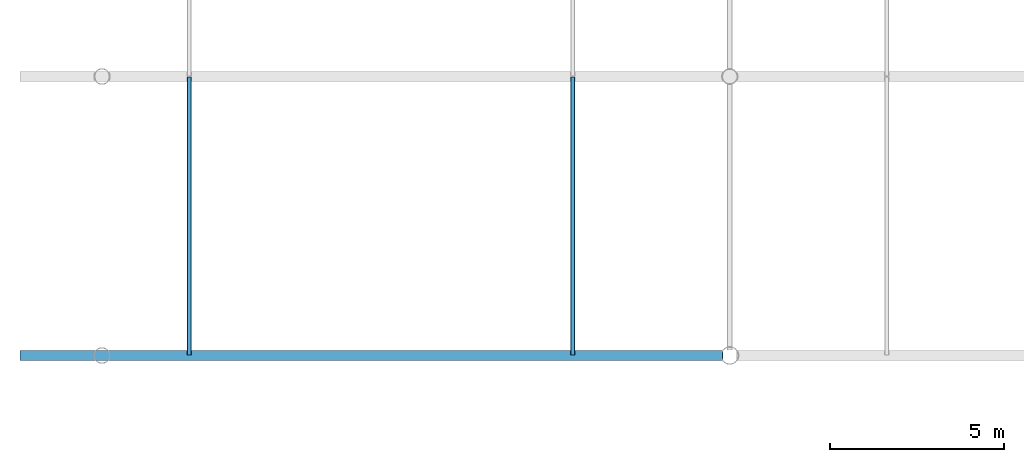
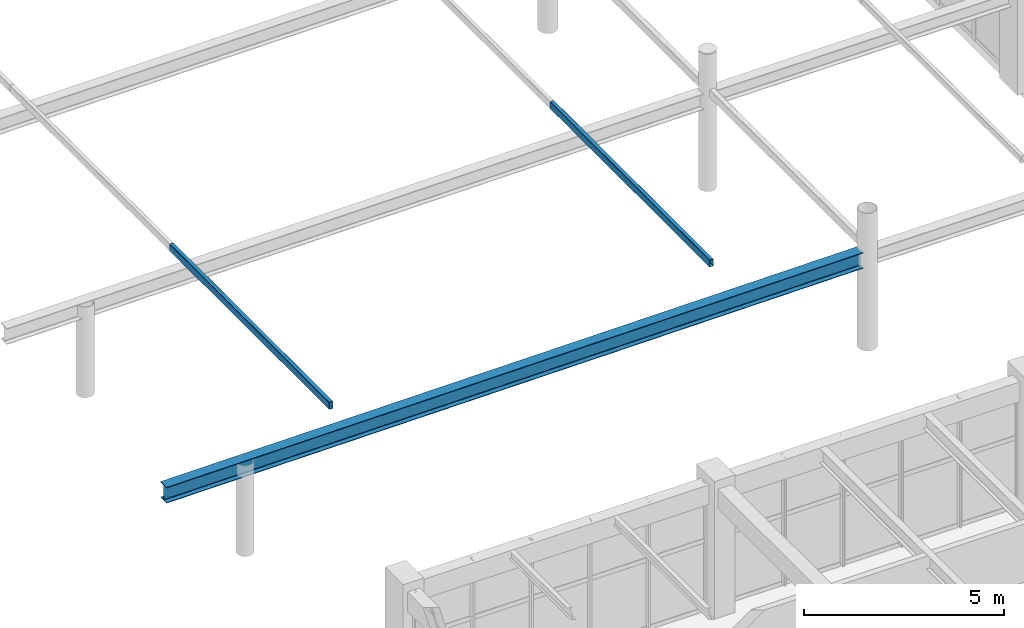
# One storey, part 18 of 148: 3 members.
"""IFC4 building model written with IfcOpenShell, lengths in metres."""

import ifcopenshell
import ifcopenshell.guid

model = None  # the IFC model being written
_history = None  # IfcOwnerHistory: only IFC2X3 demands one
_inside = {}  # id of a spatial element -> (the spatial element, [elements in it])
_under = {}  # id of a project, library or spatial element -> (it, [spatial elements below it])
_declared = {}  # id of a project -> (the project, [libraries it declares])
_typed = {}  # id of a type object -> (the type object, [elements of that type])
_made_of = {}  # id of a material, layer set ... -> (it, [elements and type objects made of it])


def new_model(schema):
    """Start an empty IFC model of exactly this schema.

    Asked for "IFC4X3", IfcOpenShell would pick the latest addendum, in which some entities
    have other attributes; the version numbers below select the first issue.
    IFC2X3 requires an IfcOwnerHistory on every rooted entity: one is made here for all.
    """
    global model, _history
    if schema == "IFC4X3":
        model = ifcopenshell.file(schema_version=(4, 3, 0, 0))
    else:
        model = ifcopenshell.file(schema=schema)
    _inside.clear()
    _under.clear()
    _declared.clear()
    _typed.clear()
    _made_of.clear()
    _history = None
    if model.schema == "IFC2X3":
        org = make("IfcOrganization", Name="unknown")
        user = make(
            "IfcPersonAndOrganization",
            ThePerson=make("IfcPerson", FamilyName="unknown"),
            TheOrganization=org,
        )
        app = make(
            "IfcApplication",
            ApplicationDeveloper=org,
            Version="unknown",
            ApplicationFullName="unknown",
            ApplicationIdentifier="unknown",
        )
        _history = make(
            "IfcOwnerHistory",
            OwningUser=user,
            OwningApplication=app,
            ChangeAction="ADDED",
            CreationDate=0,
        )
    return model


def make(cls, **values):
    """One entity of the class cls with the attributes given. An attribute that is None is left unset."""
    return model.create_entity(
        cls, **{name: value for name, value in values.items() if value is not None}
    )


def rooted(cls, **values):
    """An entity with a GlobalId (a new one), such as an element, a storey or a relation."""
    return make(cls, GlobalId=ifcopenshell.guid.new(), OwnerHistory=_history, **values)


def si_unit(unit_type, name, prefix=None):
    """IfcSIUnit, for example si_unit("LENGTHUNIT", "METRE", prefix="MILLI")."""
    return make("IfcSIUnit", UnitType=unit_type, Prefix=prefix, Name=name)


def derived_unit(unit_type, elements):
    """IfcDerivedUnit: a product of units, each with its exponent."""
    return make(
        "IfcDerivedUnit",
        Elements=[
            make("IfcDerivedUnitElement", Unit=unit, Exponent=power)
            for unit, power in elements
        ],
        UnitType=unit_type,
    )


def assignment(units):
    """IfcUnitAssignment: the units of a project."""
    return None if units is None else make("IfcUnitAssignment", Units=units)


def point(xyz):
    """IfcCartesianPoint."""
    return None if xyz is None else make("IfcCartesianPoint", Coordinates=xyz)


def direction(xyz):
    """IfcDirection."""
    return None if xyz is None else make("IfcDirection", DirectionRatios=xyz)


def frame(location, z_axis=None, x_axis=None):
    """IfcAxis2Placement3D, a coordinate frame: its origin and axes. An axis left out is left unset."""
    return make(
        "IfcAxis2Placement3D",
        Location=point(location),
        Axis=direction(z_axis),
        RefDirection=direction(x_axis),
    )


def frame_2d(location, x_axis=None):
    """IfcAxis2Placement2D, a coordinate frame in the plane: its origin and x axis."""
    return make(
        "IfcAxis2Placement2D", Location=point(location), RefDirection=direction(x_axis)
    )


def origin():
    """The frame at (0, 0, 0) with its axes left unset."""
    return frame((0.0, 0.0, 0.0))


def origin_2d():
    """The frame at (0, 0) in the plane with its x axis left unset."""
    return frame_2d((0.0, 0.0))


def place(relative_to, where):
    """IfcLocalPlacement: puts the frame where relative to a parent placement (None: the world)."""
    return make(
        "IfcLocalPlacement", PlacementRelTo=relative_to, RelativePlacement=where
    )


def context(
    kind, dimensions, precision=None, world=None, true_north=None, identifier=None
):
    """IfcGeometricRepresentationContext, for example the 3D "Model" context."""
    return make(
        "IfcGeometricRepresentationContext",
        ContextIdentifier=identifier,
        ContextType=kind,
        CoordinateSpaceDimension=dimensions,
        Precision=precision,
        WorldCoordinateSystem=world,
        TrueNorth=true_north,
    )


def subcontext(parent, identifier, kind, view, scale=None):
    """IfcGeometricRepresentationSubContext, for example "Body" below "Model"."""
    return make(
        "IfcGeometricRepresentationSubContext",
        ContextIdentifier=identifier,
        ContextType=kind,
        ParentContext=parent,
        TargetScale=scale,
        TargetView=view,
    )


def project(units=None, contexts=None):
    """IfcProject with its units and contexts."""
    return rooted(
        "IfcProject",
        Name="project",
        RepresentationContexts=contexts,
        UnitsInContext=assignment(units),
    )


def spatial(cls, under=None, at=None, **own):
    """A site, building, storey or space (cls), placed at a placement, below another one or the project."""
    s = rooted(cls, ObjectPlacement=at, **own)
    if under is not None:
        _under.setdefault(under.id(), (under, []))[1].append(s)
    return s


def profile(cls, at=None, kind="AREA", **sizes):
    """A parametric profile (cls). Its sizes go by their IFC names, for example OverallWidth=200.0."""
    return make(cls, ProfileType=kind, Position=at, **sizes)


def hollow_rectangle(**sizes):
    """IfcRectangleHollowProfileDef."""
    return profile("IfcRectangleHollowProfileDef", **sizes)


def i_section(**sizes):
    """IfcIShapeProfileDef."""
    return profile("IfcIShapeProfileDef", **sizes)


def extrude(swept, where, along, depth):
    """IfcExtrudedAreaSolid: the profile swept, set in the frame where, extruded along a direction by depth."""
    return make(
        "IfcExtrudedAreaSolid",
        SweptArea=swept,
        Position=where,
        ExtrudedDirection=direction(along),
        Depth=depth,
    )


def shape(context_of_items, identifier, shape_type, items):
    """IfcShapeRepresentation: the items that make up one representation, for example the "Body"."""
    return make(
        "IfcShapeRepresentation",
        ContextOfItems=context_of_items,
        RepresentationIdentifier=identifier,
        RepresentationType=shape_type,
        Items=items,
    )


def material(Name=None, Category=None):
    """IfcMaterial."""
    return make("IfcMaterial", Name=Name, Category=Category)


def material_profile(
    of_material, cross_section, Name=None, Category=None, Priority=None
):
    """IfcMaterialProfile: a cross section and its material."""
    return make(
        "IfcMaterialProfile",
        Name=Name,
        Material=of_material,
        Profile=cross_section,
        Priority=Priority,
        Category=Category,
    )


def profile_set(profiles, Name=None, composite=None):
    """IfcMaterialProfileSet."""
    return make(
        "IfcMaterialProfileSet",
        Name=Name,
        MaterialProfiles=profiles,
        CompositeProfile=composite,
    )


def made_of(thing, what):
    """Note that an element or type object is made of a material, layer set ...; save() writes the relation."""
    if what is not None:
        _made_of.setdefault(what.id(), (what, []))[1].append(thing)
    return thing


def type_object(cls, material=None, **own):
    """A type object (cls), such as IfcWallType, which elements share."""
    return made_of(rooted(cls, **own), material)


def element(
    cls,
    number,
    at=None,
    inside=None,
    cuts=None,
    type_object=None,
    material=None,
    context=None,
    identifier="Body",
    shape_type=None,
    held_by="IfcProductDefinitionShape",
    body=None,
    shapes=None,
    **own,
):
    """One element of the class cls, such as IfcWall. Its Tag is "e" and its number.

    at: its placement. inside: the storey or other place that contains it. cuts: it is an
    opening in that element (IfcRelVoidsElement). A single representation is given by context,
    identifier, shape_type and body (its items); several are given by shapes. held_by: the class
    of the entity that holds the representations. save() writes the other relations.
    """
    e = rooted(cls, Tag="e%d" % number, ObjectPlacement=at, **own)
    if body is not None:
        shapes = [shape(context, identifier, shape_type, body)]
    if shapes is not None:
        e.Representation = make(held_by, Representations=shapes)
    if inside is not None:
        _inside.setdefault(inside.id(), (inside, []))[1].append(e)
    if cuts is not None:
        rooted(
            "IfcRelVoidsElement", RelatingBuildingElement=cuts, RelatedOpeningElement=e
        )
    if type_object is not None:
        _typed.setdefault(type_object.id(), (type_object, []))[1].append(e)
    return made_of(e, material)


def aggregate(whole, parts):
    """IfcRelAggregates: a whole, such as a stair, and the parts it consists of."""
    return rooted("IfcRelAggregates", RelatingObject=whole, RelatedObjects=parts)


def save(model, path):
    """Write the relations noted so far, then the file.

    IfcRelAggregates (storeys below a building ...), IfcRelContainedInSpatialStructure (elements
    in a storey), IfcRelDefinesByType, IfcRelAssociatesMaterial and IfcRelDeclares: one each for
    every whole, place, type object, material and project.
    """
    for whole, parts in _under.values():
        aggregate(whole, parts)
    for where, things in _inside.values():
        rooted(
            "IfcRelContainedInSpatialStructure",
            RelatedElements=things,
            RelatingStructure=where,
        )
    for kind, things in _typed.values():
        rooted("IfcRelDefinesByType", RelatedObjects=things, RelatingType=kind)
    for what, things in _made_of.values():
        rooted("IfcRelAssociatesMaterial", RelatedObjects=things, RelatingMaterial=what)
    for by, libraries in _declared.values():
        rooted("IfcRelDeclares", RelatingContext=by, RelatedDefinitions=libraries)
    model.write(path)


model = new_model("IFC4")

# Units and contexts
model_context = context("Model", 3, precision=1e-05, world=origin(), true_north=direction((0.0, 1.0)))
body_context = subcontext(model_context, "Body", "Model", "MODEL_VIEW")
ifc_project = project(units=[si_unit("LENGTHUNIT", "METRE"), si_unit("AREAUNIT", "SQUARE_METRE"), si_unit("VOLUMEUNIT", "CUBIC_METRE"), si_unit("PLANEANGLEUNIT", "RADIAN"), si_unit("MASSUNIT", "GRAM", prefix="KILO"), derived_unit("THERMALTRANSMITTANCEUNIT", [(si_unit("MASSUNIT", "GRAM", prefix="KILO"), 1), (si_unit("TIMEUNIT", "SECOND"), -3), (si_unit("THERMODYNAMICTEMPERATUREUNIT", "KELVIN"), -1)])], contexts=[model_context])

# Site, building, storey
site_placement = place(None, origin())
site = spatial("IfcSite", under=ifc_project, at=site_placement, CompositionType="ELEMENT")
building_placement = place(site_placement, origin())
building = spatial("IfcBuilding", under=site, at=building_placement, Name="Zhenchuan Archway Interchange", CompositionType="ELEMENT")
storey_placement = place(building_placement, frame((0.0, 0.0, 10.199951171875)))
storey = spatial("IfcBuildingStorey", under=building, at=storey_placement, Name="L02", CompositionType="ELEMENT", Elevation=10.199951171875)

# Members
ifc_material_1 = material(Name="Steel Q390", Category="steel")
ifc_material_profile_1 = material_profile(ifc_material_1, i_section(OverallWidth=0.300048828125, OverallDepth=0.488037109375, WebThickness=0.010986328125, FlangeThickness=0.01806640625, FilletRadius=0.02197265625, at=origin_2d()), Name="HM 488x300")
ifc_profile_set_1 = profile_set([ifc_material_profile_1], Name="Steel Q390")
member_type_1 = type_object("IfcMemberType", Name="MB_CHD_HM488", PredefinedType="CHORD", material=ifc_profile_set_1)
member_placement = place(storey_placement, frame((-2.35009765625, 24.0, 2.6201171875), z_axis=(0.999979226799, 0.0, 0.006445616389), x_axis=(0.0, 1.0, 0.0)))
element("IfcMember", 1, at=member_placement, inside=storey, type_object=member_type_1, Name="ROOF TRUSS bus canopy T1 west bottom chord", PredefinedType="CHORD", context=body_context, shape_type="SweptSolid", body=[
    extrude(i_section(OverallWidth=0.300048828125, OverallDepth=0.488037109375, WebThickness=0.010986328125, FlangeThickness=0.01806640625, FilletRadius=0.02197265625, at=origin_2d()), origin(), (0.0, 0.0, 1.0), 20.150634765625),
])
ifc_material_2 = material(Name="Steel Q355", Category="steel")
ifc_material_profile_2 = material_profile(ifc_material_2, hollow_rectangle(XDim=0.1201171875, YDim=0.219970703125, WallThickness=0.008056640625, InnerFilletRadius=0.008056640625, OuterFilletRadius=0.01611328125, at=origin_2d()), Name="RHS 220x120x8")
ifc_profile_set_2 = profile_set([ifc_material_profile_2], Name="Steel Q355")
member_type_2 = type_object("IfcMemberType", Name="MB_RHS220", PredefinedType="PURLIN", material=ifc_profile_set_2)
for number, where, z_axis, x_axis, name in (
    (2, (2.5, 24.008056640625, 3.580078125), (0.0, 1.0, 0.0), (-1.0, 0.0, 0.0), "Bus canopy roof purlin B1-P1"),
    (3, (13.5, 24.008056640625, 4.080078125), (0.0, 1.0, 0.0), (-1.0, 0.0, 0.0), "Bus canopy roof purlin B1-P4"),
):
    element("IfcMember", number, at=place(storey_placement, frame(where, z_axis=z_axis, x_axis=x_axis)), inside=storey, type_object=member_type_2, Name=name, PredefinedType="PURLIN", context=body_context, shape_type="SweptSolid", body=[
        extrude(hollow_rectangle(XDim=0.1201171875, YDim=0.219970703125, WallThickness=0.008056640625, InnerFilletRadius=0.008056640625, OuterFilletRadius=0.01611328125, at=origin_2d()), origin(), (0.0, 0.0, 1.0), 7.98388671875),
    ])

save(model, "model.ifc")
